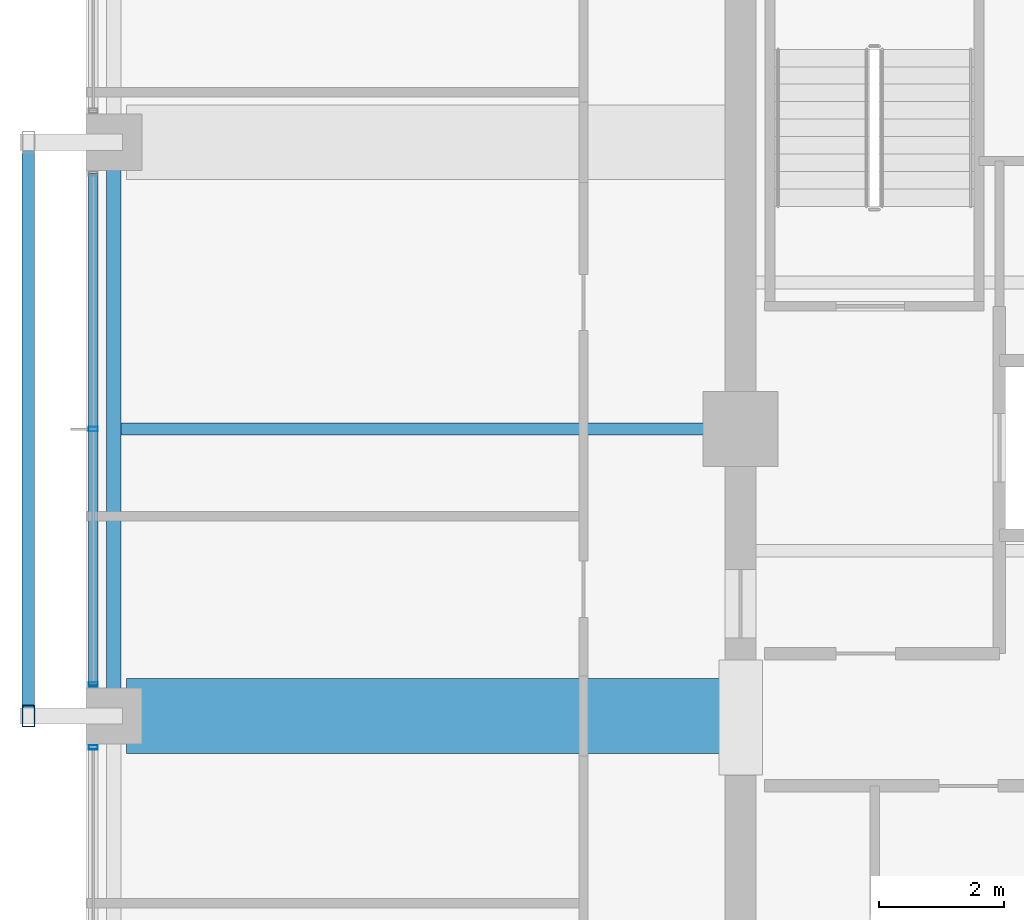
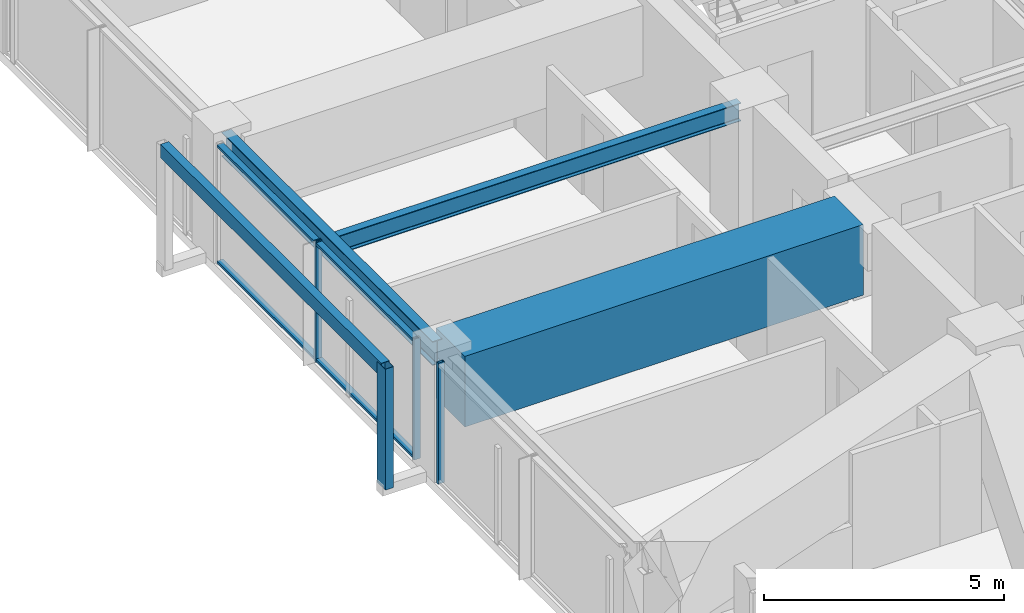
# One storey, part 8 of 37: 7 members, 3 beams, 2 elements without a shape of their own.
"""IFC4 building model written with IfcOpenShell, lengths in metres."""

from ifc_helpers import new_model, si_unit, direction, frame, origin, origin_2d, place, context, subcontext, project, spatial, rectangle, hollow_rectangle, i_section, extrude, material, material_profile, profile_set, type_object, element, aggregate, save


model = new_model("IFC4")

# Units and contexts
model_context = context("Model", 3, precision=1e-05, world=origin(), true_north=direction((0.0, 1.0)))
body_context = subcontext(model_context, "Body", "Model", "MODEL_VIEW")
ifc_project = project(units=[si_unit("LENGTHUNIT", "METRE"), si_unit("AREAUNIT", "SQUARE_METRE"), si_unit("VOLUMEUNIT", "CUBIC_METRE"), si_unit("PLANEANGLEUNIT", "RADIAN"), si_unit("MASSUNIT", "GRAM", prefix="KILO")], contexts=[model_context])

# Site, building, storey
site_placement = place(None, origin())
site = spatial("IfcSite", under=ifc_project, at=site_placement, CompositionType="ELEMENT")
building_placement = place(site_placement, origin())
building = spatial("IfcBuilding", under=site, at=building_placement, Name="Kolvaren Belvedere", CompositionType="ELEMENT")
storey_placement = place(building_placement, frame((0.0, 0.0, 186.60009765625)))
storey = spatial("IfcBuildingStorey", under=building, at=storey_placement, Name="L54", CompositionType="ELEMENT", Elevation=186.60009765625)

# Beams
ifc_material_1 = material(Name="Structural steel ASTM A992 Grade 50", Category="steel")
ifc_material_profile_1 = material_profile(ifc_material_1, i_section(OverallWidth=0.19091796875, OverallDepth=0.4599609375, WebThickness=0.010009765625, FlangeThickness=0.01611328125, FilletRadius=0.014892578125, at=origin_2d()), Name="W18X55")
ifc_profile_set_1 = profile_set([ifc_material_profile_1], Name="Structural steel ASTM A992 Grade 50")
beam_type_1 = type_object("IfcBeamType", Name="BM-JOIST-W18X55", PredefinedType="BEAM", material=ifc_profile_set_1)
beam_1_placement = place(storey_placement, frame((-10.14990234375, 0.0, 2.849853515625), z_axis=(-1.0, 0.0, 0.0), x_axis=(0.0, -1.0, 0.0)))
element("IfcBeam", 1, at=beam_1_placement, inside=storey, type_object=beam_type_1, Name="L54 West Centre Floor Beam", PredefinedType="BEAM", context=body_context, shape_type="SweptSolid", body=[
    extrude(i_section(OverallWidth=0.19091796875, OverallDepth=0.4599609375, WebThickness=0.010009765625, FlangeThickness=0.01611328125, FilletRadius=0.014892578125, at=origin_2d()), origin(), (0.0, 0.0, 1.0), 9.685546875),
])
ifc_material_2 = material(Name="Structural steel ASTM A992 Grade 50", Category="steel")
ifc_material_profile_2 = material_profile(ifc_material_2, i_section(OverallWidth=0.22900390625, OverallDepth=0.612060546875, WebThickness=0.011962890625, FlangeThickness=0.01953125, FilletRadius=0.01806640625, at=origin_2d()), Name="W24X84")
ifc_profile_set_2 = profile_set([ifc_material_profile_2], Name="Structural steel ASTM A992 Grade 50")
beam_type_2 = type_object("IfcBeamType", Name="BM-SPAN-W24X84", PredefinedType="SPANDREL", material=ifc_profile_set_2)
beam_2_placement = place(storey_placement, frame((-19.949951171875, 4.3974609375, 2.77392578125), z_axis=(0.0, -1.0, 0.0), x_axis=(1.0, 0.0, 0.0)))
element("IfcBeam", 2, at=beam_2_placement, inside=storey, type_object=beam_type_2, Name="L54 Perimeter Spandrel W3-W2", PredefinedType="SPANDREL", context=body_context, shape_type="SweptSolid", body=[
    extrude(i_section(OverallWidth=0.22900390625, OverallDepth=0.612060546875, WebThickness=0.011962890625, FlangeThickness=0.01953125, FilletRadius=0.01806640625, at=origin_2d()), origin(), (0.0, 0.0, 1.0), 8.794921875),
])
ifc_material_3 = material(Name="Concrete C50/60", Category="concrete")
ifc_material_profile_3 = material_profile(ifc_material_3, rectangle(XDim=1.199951171875, YDim=1.800048828125, at=origin_2d()), Name="RC 1200X1800")
ifc_profile_set_3 = profile_set([ifc_material_profile_3], Name="Concrete C50/60")
beam_type_3 = type_object("IfcBeamType", Name="BM-TG-1800", PredefinedType="BEAM", material=ifc_profile_set_3)
beam_3_placement = place(storey_placement, frame((-10.14990234375, -4.60009765625, 2.179931640625), z_axis=(-1.0, 0.0, 0.0), x_axis=(0.0, -1.0, 0.0)))
element("IfcBeam", 3, at=beam_3_placement, inside=storey, type_object=beam_type_3, Name="L54 West Radial Girder M", PredefinedType="BEAM", context=body_context, shape_type="SweptSolid", body=[
    extrude(rectangle(XDim=1.199951171875, YDim=1.800048828125, at=origin_2d()), origin(), (0.0, 0.0, 1.0), 9.59765625),
])

# Curtain wall, member
ifc_material_4 = material(Name="Anodised pale-metal aluminium AA 6063-T6", Category="aluminium")
curtain_wall_type = type_object("IfcCurtainWallType", Name="CW-Z5-HIGH", PredefinedType="NOTDEFINED", material=ifc_material_4)
curtain_wall_1_placement = place(storey_placement, origin())
curtain_wall_1 = element("IfcCurtainWall", 4, at=curtain_wall_1_placement, inside=storey, type_object=curtain_wall_type, Name="L54 Unitised Curtain Wall FCW-L54-W-B1", PredefinedType="NOTDEFINED")
ifc_material_5 = material(Name="Anodised pale-metal aluminium AA 6063-T6", Category="aluminium")
ifc_material_profile_4 = material_profile(ifc_material_5, hollow_rectangle(XDim=0.070068359375, YDim=0.14990234375, WallThickness=0.004150390625, at=origin_2d()), Name="ALU-MUL-150X70")
ifc_profile_set_4 = profile_set([ifc_material_profile_4], Name="Anodised pale-metal aluminium AA 6063-T6")
member_type_1 = type_object("IfcMemberType", Name="CW-MUL-150", PredefinedType="MULLION", material=ifc_profile_set_4)
member_1_placement = place(storey_placement, frame((-20.280029296875, -5.10498046875, 0.0), z_axis=(0.0, 0.0, 1.0), x_axis=(0.0, 1.0, 0.0)))
member_1 = element("IfcMember", 5, at=member_1_placement, type_object=member_type_1, Name="FCW-L54-W-B1 Unitised Mullion 3", PredefinedType="MULLION", context=body_context, shape_type="SweptSolid", body=[
    extrude(hollow_rectangle(XDim=0.070068359375, YDim=0.14990234375, WallThickness=0.004150390625, at=origin_2d()), origin(), (0.0, 0.0, 1.0), 3.079833984375),
])
aggregate(curtain_wall_1, [member_1])

# Curtain wall, members
curtain_wall_2_placement = place(storey_placement, origin())
curtain_wall_2 = element("IfcCurtainWall", 6, at=curtain_wall_2_placement, inside=storey, type_object=curtain_wall_type, Name="L54 Unitised Curtain Wall FCW-L54-W-B2", PredefinedType="NOTDEFINED")
member_2_placement = place(storey_placement, frame((-20.280029296875, -4.094970703125, 0.0), z_axis=(0.0, 0.0, 1.0), x_axis=(0.0, 1.0, 0.0)))
member_2 = element("IfcMember", 7, at=member_2_placement, type_object=member_type_1, Name="FCW-L54-W-B2 Unitised Mullion 1", PredefinedType="MULLION", context=body_context, shape_type="SweptSolid", body=[
    extrude(hollow_rectangle(XDim=0.070068359375, YDim=0.14990234375, WallThickness=0.004150390625, at=origin_2d()), origin(), (0.0, 0.0, 1.0), 3.079833984375),
])
member_3_placement = place(storey_placement, frame((-20.280029296875, 0.0, 0.0), z_axis=(0.0, 0.0, 1.0), x_axis=(0.0, 1.0, 0.0)))
member_3 = element("IfcMember", 8, at=member_3_placement, type_object=member_type_1, Name="FCW-L54-W-B2 Unitised Mullion 2", PredefinedType="MULLION", context=body_context, shape_type="SweptSolid", body=[
    extrude(hollow_rectangle(XDim=0.070068359375, YDim=0.14990234375, WallThickness=0.004150390625, at=origin_2d()), origin(), (0.0, 0.0, 1.0), 3.079833984375),
])
ifc_material_6 = material(Name="Anodised pale-metal aluminium AA 6063-T6", Category="aluminium")
ifc_material_profile_5 = material_profile(ifc_material_6, hollow_rectangle(XDim=0.06494140625, YDim=0.14990234375, WallThickness=0.00390625, at=origin_2d()), Name="ALU-TRN-150X65")
ifc_profile_set_5 = profile_set([ifc_material_profile_5], Name="Anodised pale-metal aluminium AA 6063-T6")
member_type_2 = type_object("IfcMemberType", Name="CW-TRN-150", PredefinedType="USERDEFINED", material=ifc_profile_set_5)
member_4_placement = place(storey_placement, frame((-20.280029296875, -4.094970703125, 0.059814453125), z_axis=(0.0, 1.0, 0.0), x_axis=(0.0, 0.0, 1.0)))
member_4 = element("IfcMember", 9, at=member_4_placement, type_object=member_type_2, Name="FCW-L54-W-B2 Sill Transom", ObjectType="TRANSOM", PredefinedType="USERDEFINED", context=body_context, shape_type="SweptSolid", body=[
    extrude(hollow_rectangle(XDim=0.06494140625, YDim=0.14990234375, WallThickness=0.00390625, at=origin_2d()), origin(), (0.0, 0.0, 1.0), 8.18994140625),
])
member_5_placement = place(storey_placement, frame((-20.280029296875, -4.094970703125, 3.02001953125), z_axis=(0.0, 1.0, 0.0), x_axis=(0.0, 0.0, 1.0)))
member_5 = element("IfcMember", 10, at=member_5_placement, type_object=member_type_2, Name="FCW-L54-W-B2 Head Transom", ObjectType="TRANSOM", PredefinedType="USERDEFINED", context=body_context, shape_type="SweptSolid", body=[
    extrude(hollow_rectangle(XDim=0.06494140625, YDim=0.14990234375, WallThickness=0.00390625, at=origin_2d()), origin(), (0.0, 0.0, 1.0), 8.18994140625),
])
aggregate(curtain_wall_2, [member_2, member_3, member_4, member_5])

# Members
ifc_material_7 = material(Name="Anodised pale-metal aluminium AA 6063-T6", Category="aluminium")
ifc_material_profile_6 = material_profile(ifc_material_7, hollow_rectangle(XDim=0.199951171875, YDim=0.35009765625, WallThickness=0.007568359375, at=origin_2d()), Name="ALU-PF-350X200")
ifc_profile_set_6 = profile_set([ifc_material_profile_6], Name="Anodised pale-metal aluminium AA 6063-T6")
member_type_3 = type_object("IfcMemberType", Name="PF-FRAME-350", PredefinedType="USERDEFINED", material=ifc_profile_set_6)
member_6_placement = place(storey_placement, frame((-21.320068359375, -4.60009765625, 0.0), z_axis=(0.0, 0.0, 1.0), x_axis=(1.0, 0.0, 0.0)))
element("IfcMember", 11, at=member_6_placement, inside=storey, type_object=member_type_3, Name="L54 Outboard Picture-Frame Vertical W1", ObjectType="PICTURE FRAME FIN", PredefinedType="USERDEFINED", context=body_context, shape_type="SweptSolid", body=[
    extrude(hollow_rectangle(XDim=0.199951171875, YDim=0.35009765625, WallThickness=0.007568359375, at=origin_2d()), origin(), (0.0, 0.0, 1.0), 3.079833984375),
])
member_7_placement = place(storey_placement, frame((-21.320068359375, -4.60009765625, 2.949951171875), z_axis=(0.0, 1.0, 0.0), x_axis=(-1.0, 0.0, 0.0)))
element("IfcMember", 12, at=member_7_placement, inside=storey, type_object=member_type_3, Name="L54 Outboard Picture-Frame Head W", ObjectType="PICTURE FRAME FIN", PredefinedType="USERDEFINED", context=body_context, shape_type="SweptSolid", body=[
    extrude(hollow_rectangle(XDim=0.199951171875, YDim=0.35009765625, WallThickness=0.007568359375, at=origin_2d()), origin(), (0.0, 0.0, 1.0), 9.2001953125),
])

save(model, "model.ifc")
